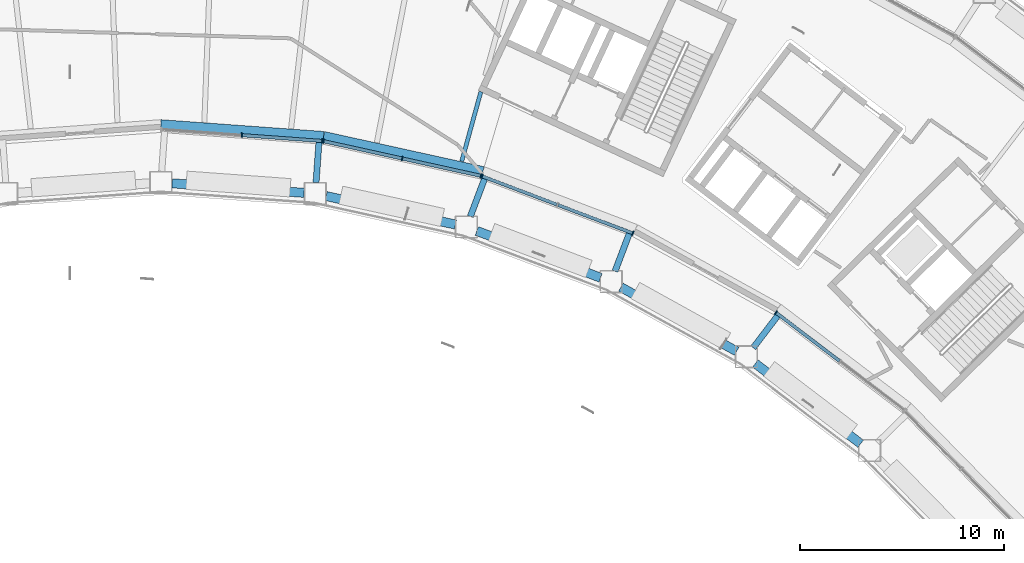
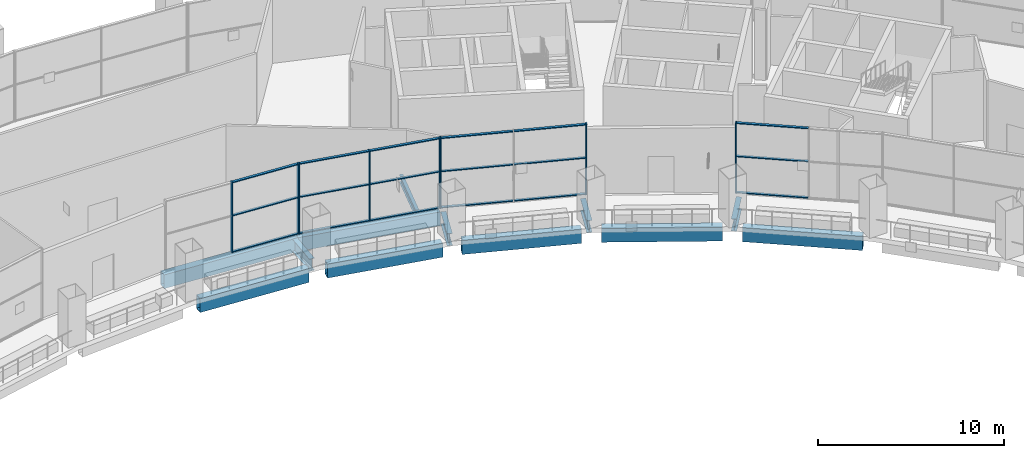
# One storey, part 7 of 28: 26 members, 12 beams, 4 elements without a shape of their own.
"""IFC4 building model written with IfcOpenShell, lengths in metres."""

from ifc_helpers import new_model, si_unit, direction, frame, origin, origin_2d, place, context, subcontext, project, spatial, rectangle, hollow_rectangle, i_section, extrude, material, layer, layer_set, material_profile, profile_set, type_object, element, aggregate, save


model = new_model("IFC4")

# Units and contexts
model_context = context("Model", 3, precision=1e-05, world=origin(), true_north=direction((0.0, 1.0)))
body_context = subcontext(model_context, "Body", "Model", "MODEL_VIEW")
ifc_project = project(units=[si_unit("LENGTHUNIT", "METRE"), si_unit("AREAUNIT", "SQUARE_METRE"), si_unit("VOLUMEUNIT", "CUBIC_METRE"), si_unit("PLANEANGLEUNIT", "RADIAN"), si_unit("MASSUNIT", "GRAM", prefix="KILO")], contexts=[model_context])

# Site, building, storey
site_placement = place(None, origin())
site = spatial("IfcSite", under=ifc_project, at=site_placement, CompositionType="ELEMENT")
building_placement = place(site_placement, origin())
building = spatial("IfcBuilding", under=site, at=building_placement, Name="Tuul Gate Civic Tower", CompositionType="ELEMENT")
storey_placement = place(building_placement, frame((0.0, 0.0, 128.699951171875)))
storey = spatial("IfcBuildingStorey", under=building, at=storey_placement, Name="Sky garden level 1", CompositionType="ELEMENT", Elevation=128.699951171875)

# Curtain wall, members
ifc_material_1 = material(Name="Aluminium", Category="aluminium")
ifc_layer = layer(ifc_material_1, 0.199951171875)
ifc_layer_set = layer_set([ifc_layer], Name="Aluminium")
curtain_wall_type = type_object("IfcCurtainWallType", Name="Curtain wall CW3", PredefinedType="NOTDEFINED", material=ifc_layer_set)
curtain_wall_1_placement = place(storey_placement, origin())
curtain_wall_1 = element("IfcCurtainWall", 1, at=curtain_wall_1_placement, inside=storey, type_object=curtain_wall_type, Name="Curtain wall CW3", PredefinedType="NOTDEFINED")
ifc_material_2 = material(Name="Aluminium", Category="aluminium")
ifc_material_profile_1 = material_profile(ifc_material_2, rectangle(XDim=0.219970703125, YDim=0.06005859375, at=origin_2d()), Name="CW3 mullion")
ifc_profile_set_1 = profile_set([ifc_material_profile_1], Name="Aluminium")
member_type_1 = type_object("IfcMemberType", Name="CW3 mullion", PredefinedType="MULLION", material=ifc_profile_set_1)
member_1_placement = place(storey_placement, frame((13.802490234375, -5.3505859375, 0.0), z_axis=(0.0, 0.0, 1.0), x_axis=(0.072165694963, 0.997392657117, 0.0)))
member_1 = element("IfcMember", 2, at=member_1_placement, type_object=member_type_1, Name="Mullion", PredefinedType="MULLION", context=body_context, shape_type="SweptSolid", body=[
    extrude(rectangle(XDim=0.219970703125, YDim=0.06005859375, at=origin_2d()), origin(), (0.0, 0.0, 1.0), 4.60009765625),
])
member_2_placement = place(storey_placement, frame((17.74609375, -5.6357421875, 0.0), z_axis=(0.0, 0.0, 1.0), x_axis=(0.072165694963, 0.997392657117, 0.0)))
member_2 = element("IfcMember", 3, at=member_2_placement, type_object=member_type_1, Name="Mullion", PredefinedType="MULLION", context=body_context, shape_type="SweptSolid", body=[
    extrude(rectangle(XDim=0.219970703125, YDim=0.06005859375, at=origin_2d()), origin(), (0.0, 0.0, 1.0), 4.60009765625),
])

curtain_wall_2_placement = place(storey_placement, origin())
curtain_wall_2 = element("IfcCurtainWall", 4, at=curtain_wall_2_placement, inside=storey, type_object=curtain_wall_type, Name="Curtain wall CW3", PredefinedType="NOTDEFINED")
member_3_placement = place(storey_placement, frame((17.80517578125, -5.64453125, 0.0), z_axis=(0.0, 0.0, 1.0), x_axis=(0.215216071904, 0.976566455698, 0.0)))
member_3 = element("IfcMember", 5, at=member_3_placement, type_object=member_type_1, Name="Mullion", PredefinedType="MULLION", context=body_context, shape_type="SweptSolid", body=[
    extrude(rectangle(XDim=0.219970703125, YDim=0.06005859375, at=origin_2d()), origin(), (0.0, 0.0, 1.0), 4.60009765625),
])
member_4_placement = place(storey_placement, frame((21.6669921875, -6.49560546875, 0.0), z_axis=(0.0, 0.0, 1.0), x_axis=(0.215216071904, 0.976566455698, 0.0)))
member_4 = element("IfcMember", 6, at=member_4_placement, type_object=member_type_1, Name="Mullion", PredefinedType="MULLION", context=body_context, shape_type="SweptSolid", body=[
    extrude(rectangle(XDim=0.219970703125, YDim=0.06005859375, at=origin_2d()), origin(), (0.0, 0.0, 1.0), 4.60009765625),
])
member_5_placement = place(storey_placement, frame((25.52880859375, -7.346435546875, 0.0), z_axis=(0.0, 0.0, 1.0), x_axis=(0.215216071904, 0.976566455698, 0.0)))
member_5 = element("IfcMember", 7, at=member_5_placement, type_object=member_type_1, Name="Mullion", PredefinedType="MULLION", context=body_context, shape_type="SweptSolid", body=[
    extrude(rectangle(XDim=0.219970703125, YDim=0.06005859375, at=origin_2d()), origin(), (0.0, 0.0, 1.0), 4.60009765625),
])

curtain_wall_3_placement = place(storey_placement, origin())
curtain_wall_3 = element("IfcCurtainWall", 8, at=curtain_wall_3_placement, inside=storey, type_object=curtain_wall_type, Name="Curtain wall CW3", PredefinedType="NOTDEFINED")
member_6_placement = place(storey_placement, frame((25.586181640625, -7.363525390625, 0.0), z_axis=(0.0, 0.0, 1.0), x_axis=(0.353776380754, 0.935330033956, 0.0)))
member_6 = element("IfcMember", 9, at=member_6_placement, type_object=member_type_1, Name="Mullion", PredefinedType="MULLION", context=body_context, shape_type="SweptSolid", body=[
    extrude(rectangle(XDim=0.219970703125, YDim=0.06005859375, at=origin_2d()), origin(), (0.0, 0.0, 1.0), 4.60009765625),
])
member_7_placement = place(storey_placement, frame((32.98291015625, -10.161376953125, 0.0), z_axis=(0.0, 0.0, 1.0), x_axis=(0.353776380754, 0.935330033956, 0.0)))
member_7 = element("IfcMember", 10, at=member_7_placement, type_object=member_type_1, Name="Mullion", PredefinedType="MULLION", context=body_context, shape_type="SweptSolid", body=[
    extrude(rectangle(XDim=0.219970703125, YDim=0.06005859375, at=origin_2d()), origin(), (0.0, 0.0, 1.0), 4.60009765625),
])

# Curtain wall, member
curtain_wall_4_placement = place(storey_placement, origin())
curtain_wall_4 = element("IfcCurtainWall", 11, at=curtain_wall_4_placement, inside=storey, type_object=curtain_wall_type, Name="Curtain wall CW3", PredefinedType="NOTDEFINED")
member_8_placement = place(storey_placement, frame((40.0048828125, -14.05322265625, 0.0), z_axis=(0.0, 0.0, 1.0), x_axis=(0.605827650389, 0.79559591378, 0.0)))
member_8 = element("IfcMember", 12, at=member_8_placement, type_object=member_type_1, Name="Mullion", PredefinedType="MULLION", context=body_context, shape_type="SweptSolid", body=[
    extrude(rectangle(XDim=0.219970703125, YDim=0.06005859375, at=origin_2d()), origin(), (0.0, 0.0, 1.0), 4.60009765625),
])

# Member
ifc_material_3 = material(Name="Aluminium", Category="aluminium")
ifc_material_profile_2 = material_profile(ifc_material_3, rectangle(XDim=0.159912109375, YDim=0.06005859375, at=origin_2d()), Name="CW3 transom")
ifc_profile_set_2 = profile_set([ifc_material_profile_2], Name="Aluminium")
member_type_2 = type_object("IfcMemberType", Name="CW3 transom", PredefinedType="USERDEFINED", material=ifc_profile_set_2)
member_9_placement = place(storey_placement, frame((13.83251953125, -5.352783203125, 0.030029296875), z_axis=(0.997392389062, -0.072169399623, 0.0), x_axis=(0.072169399623, 0.997392389062, 0.0)))
member_9 = element("IfcMember", 13, at=member_9_placement, type_object=member_type_2, Name="Transom", ObjectType="TRANSOM", PredefinedType="USERDEFINED", context=body_context, shape_type="SweptSolid", body=[
    extrude(rectangle(XDim=0.159912109375, YDim=0.06005859375, at=origin_2d()), origin(), (0.0, 0.0, 1.0), 3.893798828125),
])

member_10_placement = place(storey_placement, frame((13.83251953125, -5.352783203125, 2.400146484375), z_axis=(0.997392389062, -0.072169399623, 0.0), x_axis=(0.072169399623, 0.997392389062, 0.0)))
member_10 = element("IfcMember", 14, at=member_10_placement, type_object=member_type_2, Name="Transom", ObjectType="TRANSOM", PredefinedType="USERDEFINED", context=body_context, shape_type="SweptSolid", body=[
    extrude(rectangle(XDim=0.159912109375, YDim=0.06005859375, at=origin_2d()), origin(), (0.0, 0.0, 1.0), 3.893798828125),
])

member_11_placement = place(storey_placement, frame((13.83251953125, -5.352783203125, 4.570068359375), z_axis=(0.997392389062, -0.072169399623, 0.0), x_axis=(0.072169399623, 0.997392389062, 0.0)))
member_11 = element("IfcMember", 15, at=member_11_placement, type_object=member_type_2, Name="Transom", ObjectType="TRANSOM", PredefinedType="USERDEFINED", context=body_context, shape_type="SweptSolid", body=[
    extrude(rectangle(XDim=0.159912109375, YDim=0.06005859375, at=origin_2d()), origin(), (0.0, 0.0, 1.0), 3.893798828125),
])

aggregate(curtain_wall_1, [member_1, member_2, member_9, member_10, member_11])

member_12_placement = place(storey_placement, frame((17.83447265625, -5.65087890625, 0.030029296875), z_axis=(0.976567579886, -0.215210970712, 0.0), x_axis=(0.215210970712, 0.976567579886, 0.0)))
member_12 = element("IfcMember", 16, at=member_12_placement, type_object=member_type_2, Name="Transom", ObjectType="TRANSOM", PredefinedType="USERDEFINED", context=body_context, shape_type="SweptSolid", body=[
    extrude(rectangle(XDim=0.159912109375, YDim=0.06005859375, at=origin_2d()), origin(), (0.0, 0.0, 1.0), 3.89453125),
])

member_13_placement = place(storey_placement, frame((17.83447265625, -5.65087890625, 2.400146484375), z_axis=(0.976567579886, -0.215210970712, 0.0), x_axis=(0.215210970712, 0.976567579886, 0.0)))
member_13 = element("IfcMember", 17, at=member_13_placement, type_object=member_type_2, Name="Transom", ObjectType="TRANSOM", PredefinedType="USERDEFINED", context=body_context, shape_type="SweptSolid", body=[
    extrude(rectangle(XDim=0.159912109375, YDim=0.06005859375, at=origin_2d()), origin(), (0.0, 0.0, 1.0), 3.89453125),
])

member_14_placement = place(storey_placement, frame((17.83447265625, -5.65087890625, 4.570068359375), z_axis=(0.976567579886, -0.215210970712, 0.0), x_axis=(0.215210970712, 0.976567579886, 0.0)))
member_14 = element("IfcMember", 18, at=member_14_placement, type_object=member_type_2, Name="Transom", ObjectType="TRANSOM", PredefinedType="USERDEFINED", context=body_context, shape_type="SweptSolid", body=[
    extrude(rectangle(XDim=0.159912109375, YDim=0.06005859375, at=origin_2d()), origin(), (0.0, 0.0, 1.0), 3.89453125),
])

member_15_placement = place(storey_placement, frame((21.6962890625, -6.501953125, 0.030029296875), z_axis=(0.976567579886, -0.215210970712, 0.0), x_axis=(0.215210970712, 0.976567579886, 0.0)))
member_15 = element("IfcMember", 19, at=member_15_placement, type_object=member_type_2, Name="Transom", ObjectType="TRANSOM", PredefinedType="USERDEFINED", context=body_context, shape_type="SweptSolid", body=[
    extrude(rectangle(XDim=0.159912109375, YDim=0.06005859375, at=origin_2d()), origin(), (0.0, 0.0, 1.0), 3.89453125),
])

member_16_placement = place(storey_placement, frame((21.6962890625, -6.501953125, 2.400146484375), z_axis=(0.976567579886, -0.215210970712, 0.0), x_axis=(0.215210970712, 0.976567579886, 0.0)))
member_16 = element("IfcMember", 20, at=member_16_placement, type_object=member_type_2, Name="Transom", ObjectType="TRANSOM", PredefinedType="USERDEFINED", context=body_context, shape_type="SweptSolid", body=[
    extrude(rectangle(XDim=0.159912109375, YDim=0.06005859375, at=origin_2d()), origin(), (0.0, 0.0, 1.0), 3.89453125),
])

member_17_placement = place(storey_placement, frame((21.6962890625, -6.501953125, 4.570068359375), z_axis=(0.976567579886, -0.215210970712, 0.0), x_axis=(0.215210970712, 0.976567579886, 0.0)))
member_17 = element("IfcMember", 21, at=member_17_placement, type_object=member_type_2, Name="Transom", ObjectType="TRANSOM", PredefinedType="USERDEFINED", context=body_context, shape_type="SweptSolid", body=[
    extrude(rectangle(XDim=0.159912109375, YDim=0.06005859375, at=origin_2d()), origin(), (0.0, 0.0, 1.0), 3.89453125),
])

aggregate(curtain_wall_2, [member_3, member_4, member_5, member_12, member_13, member_14, member_15, member_16, member_17])

member_18_placement = place(storey_placement, frame((25.614013671875, -7.374267578125, 0.030029296875), z_axis=(0.935328313761, -0.353780928652, 0.0), x_axis=(0.353780928652, 0.935328313761, 0.0)))
member_18 = element("IfcMember", 22, at=member_18_placement, type_object=member_type_2, Name="Transom", ObjectType="TRANSOM", PredefinedType="USERDEFINED", context=body_context, shape_type="SweptSolid", body=[
    extrude(rectangle(XDim=0.159912109375, YDim=0.06005859375, at=origin_2d()), origin(), (0.0, 0.0, 1.0), 3.894287109375),
])

member_19_placement = place(storey_placement, frame((25.614013671875, -7.374267578125, 2.400146484375), z_axis=(0.935328313761, -0.353780928652, 0.0), x_axis=(0.353780928652, 0.935328313761, 0.0)))
member_19 = element("IfcMember", 23, at=member_19_placement, type_object=member_type_2, Name="Transom", ObjectType="TRANSOM", PredefinedType="USERDEFINED", context=body_context, shape_type="SweptSolid", body=[
    extrude(rectangle(XDim=0.159912109375, YDim=0.06005859375, at=origin_2d()), origin(), (0.0, 0.0, 1.0), 3.894287109375),
])

member_20_placement = place(storey_placement, frame((25.614013671875, -7.374267578125, 4.570068359375), z_axis=(0.935328313761, -0.353780928652, 0.0), x_axis=(0.353780928652, 0.935328313761, 0.0)))
member_20 = element("IfcMember", 24, at=member_20_placement, type_object=member_type_2, Name="Transom", ObjectType="TRANSOM", PredefinedType="USERDEFINED", context=body_context, shape_type="SweptSolid", body=[
    extrude(rectangle(XDim=0.159912109375, YDim=0.06005859375, at=origin_2d()), origin(), (0.0, 0.0, 1.0), 3.894287109375),
])

member_21_placement = place(storey_placement, frame((29.3125, -8.773193359375, 0.030029296875), z_axis=(0.935328313761, -0.353780928652, 0.0), x_axis=(0.353780928652, 0.935328313761, 0.0)))
member_21 = element("IfcMember", 25, at=member_21_placement, type_object=member_type_2, Name="Transom", ObjectType="TRANSOM", PredefinedType="USERDEFINED", context=body_context, shape_type="SweptSolid", body=[
    extrude(rectangle(XDim=0.159912109375, YDim=0.06005859375, at=origin_2d()), origin(), (0.0, 0.0, 1.0), 3.894287109375),
])

member_22_placement = place(storey_placement, frame((29.3125, -8.773193359375, 2.400146484375), z_axis=(0.935328313761, -0.353780928652, 0.0), x_axis=(0.353780928652, 0.935328313761, 0.0)))
member_22 = element("IfcMember", 26, at=member_22_placement, type_object=member_type_2, Name="Transom", ObjectType="TRANSOM", PredefinedType="USERDEFINED", context=body_context, shape_type="SweptSolid", body=[
    extrude(rectangle(XDim=0.159912109375, YDim=0.06005859375, at=origin_2d()), origin(), (0.0, 0.0, 1.0), 3.894287109375),
])

member_23_placement = place(storey_placement, frame((29.3125, -8.773193359375, 4.570068359375), z_axis=(0.935328313761, -0.353780928652, 0.0), x_axis=(0.353780928652, 0.935328313761, 0.0)))
member_23 = element("IfcMember", 27, at=member_23_placement, type_object=member_type_2, Name="Transom", ObjectType="TRANSOM", PredefinedType="USERDEFINED", context=body_context, shape_type="SweptSolid", body=[
    extrude(rectangle(XDim=0.159912109375, YDim=0.06005859375, at=origin_2d()), origin(), (0.0, 0.0, 1.0), 3.894287109375),
])

aggregate(curtain_wall_3, [member_6, member_7, member_18, member_19, member_20, member_21, member_22, member_23])

member_24_placement = place(storey_placement, frame((40.02880859375, -14.0712890625, 0.030029296875), z_axis=(0.79557706335, -0.605852404693, 0.0), x_axis=(0.605852404693, 0.79557706335, 0.0)))
member_24 = element("IfcMember", 28, at=member_24_placement, type_object=member_type_2, Name="Transom", ObjectType="TRANSOM", PredefinedType="USERDEFINED", context=body_context, shape_type="SweptSolid", body=[
    extrude(rectangle(XDim=0.159912109375, YDim=0.06005859375, at=origin_2d()), origin(), (0.0, 0.0, 1.0), 3.893798828125),
])

member_25_placement = place(storey_placement, frame((40.02880859375, -14.0712890625, 2.400146484375), z_axis=(0.79557706335, -0.605852404693, 0.0), x_axis=(0.605852404693, 0.79557706335, 0.0)))
member_25 = element("IfcMember", 29, at=member_25_placement, type_object=member_type_2, Name="Transom", ObjectType="TRANSOM", PredefinedType="USERDEFINED", context=body_context, shape_type="SweptSolid", body=[
    extrude(rectangle(XDim=0.159912109375, YDim=0.06005859375, at=origin_2d()), origin(), (0.0, 0.0, 1.0), 3.893798828125),
])

member_26_placement = place(storey_placement, frame((40.02880859375, -14.0712890625, 4.570068359375), z_axis=(0.79557706335, -0.605852404693, 0.0), x_axis=(0.605852404693, 0.79557706335, 0.0)))
member_26 = element("IfcMember", 30, at=member_26_placement, type_object=member_type_2, Name="Transom", ObjectType="TRANSOM", PredefinedType="USERDEFINED", context=body_context, shape_type="SweptSolid", body=[
    extrude(rectangle(XDim=0.159912109375, YDim=0.06005859375, at=origin_2d()), origin(), (0.0, 0.0, 1.0), 3.893798828125),
])

aggregate(curtain_wall_4, [member_8, member_24, member_25, member_26])

# Beams
ifc_material_4 = material(Name="Steel S355", Category="steel")
ifc_material_profile_3 = material_profile(ifc_material_4, i_section(OverallWidth=0.199951171875, OverallDepth=0.5, WebThickness=0.010009765625, FlangeThickness=0.01611328125, at=origin_2d()), Name="PG500x200x10x16")
ifc_profile_set_3 = profile_set([ifc_material_profile_3], Name="Steel S355")
beam_type_1 = type_object("IfcBeamType", Name="STR-FLOOR BEAM-PG500x200x10x16", PredefinedType="BEAM", material=ifc_profile_set_3)
beam_1_placement = place(storey_placement, frame((24.587646484375, -6.626953125, -0.550048828125), z_axis=(0.265552846111, 0.964096305315, 0.0), x_axis=(-0.964096305315, 0.265552846111, 0.0)))
element("IfcBeam", 31, at=beam_1_placement, inside=storey, type_object=beam_type_1, Name="Floor beam", PredefinedType="BEAM", context=body_context, shape_type="SweptSolid", body=[
    extrude(i_section(OverallWidth=0.199951171875, OverallDepth=0.5, WebThickness=0.010009765625, FlangeThickness=0.01611328125, at=origin_2d()), origin(), (0.0, 0.0, 1.0), 3.535888671875),
])
ifc_material_5 = material(Name="Steel S355", Category="steel")
ifc_material_profile_4 = material_profile(ifc_material_5, i_section(OverallWidth=0.300048828125, OverallDepth=0.800048828125, WebThickness=0.013916015625, FlangeThickness=0.02490234375, at=origin_2d()), Name="PG800x300x14x25")
ifc_profile_set_4 = profile_set([ifc_material_profile_4], Name="Steel S355")
beam_type_2 = type_object("IfcBeamType", Name="STR-FLOOR BEAM-PG800x300x14x25", PredefinedType="BEAM", material=ifc_profile_set_4)
for number, where, z_axis, x_axis, name in (
    (32, (17.440673828125, -7.66943359375, -0.699951171875), (0.07230442694, 0.997382609556, 0.0), (-0.997382609556, 0.07230442694, 0.0), "Terrace beam"),
    (33, (25.009521484375, -9.337646484375, -0.699951171875), (0.353707968816, 0.935355907019, 0.0), (-0.935355907019, 0.353707968816, 0.0), "Terrace beam"),
):
    element("IfcBeam", number, at=place(storey_placement, frame(where, z_axis=z_axis, x_axis=x_axis)), inside=storey, type_object=beam_type_2, Name=name, PredefinedType="BEAM", context=body_context, shape_type="SweptSolid", body=[
        extrude(i_section(OverallWidth=0.300048828125, OverallDepth=0.800048828125, WebThickness=0.013916015625, FlangeThickness=0.02490234375, at=origin_2d()), origin(), (0.0, 0.0, 1.0), 2.100341796875),
    ])
for number, where, z_axis, x_axis, name in (
    (34, (32.109619140625, -12.0224609375, -0.699951171875), (0.353746428744, 0.935341362365, 0.0), (-0.935341362365, 0.353746428744, 0.0), "Terrace beam"),
    (35, (38.88818359375, -15.7802734375, -0.699951171875), (0.605787496975, 0.795626488064, 0.0), (-0.795626488064, 0.605787496975, 0.0), "Terrace beam"),
):
    element("IfcBeam", number, at=place(storey_placement, frame(where, z_axis=z_axis, x_axis=x_axis)), inside=storey, type_object=beam_type_2, Name=name, PredefinedType="BEAM", context=body_context, shape_type="SweptSolid", body=[
        extrude(i_section(OverallWidth=0.300048828125, OverallDepth=0.800048828125, WebThickness=0.013916015625, FlangeThickness=0.02490234375, at=origin_2d()), origin(), (0.0, 0.0, 1.0), 2.10009765625),
    ])
ifc_material_6 = material(Name="Steel S355", Category="steel")
ifc_material_profile_5 = material_profile(ifc_material_6, hollow_rectangle(XDim=0.449951171875, YDim=0.89990234375, WallThickness=0.02490234375, at=origin_2d()), Name="BOX900x450x25")
ifc_profile_set_5 = profile_set([ifc_material_profile_5], Name="Steel S355")
beam_type_3 = type_object("IfcBeamType", Name="STR-SPANDREL BEAM-BOX900x450x25", PredefinedType="BEAM", material=ifc_profile_set_5)
beam_2_placement = place(storey_placement, frame((25.62939453125, -7.112548828125, -0.75), z_axis=(-0.976572341212, 0.215189364002, 0.0), x_axis=(-0.215189364002, -0.976572341212, 0.0)))
element("IfcBeam", 36, at=beam_2_placement, inside=storey, type_object=beam_type_3, Name="Spandrel beam", PredefinedType="BEAM", context=body_context, shape_type="SweptSolid", body=[
    extrude(hollow_rectangle(XDim=0.449951171875, YDim=0.89990234375, WallThickness=0.02490234375, at=origin_2d()), origin(), (0.0, 0.0, 1.0), 8.004150390625),
])
beam_3_placement = place(storey_placement, frame((17.812744140625, -5.39013671875, -0.75), z_axis=(-0.99738839538, 0.072224571734, 0.0), x_axis=(-0.072224571734, -0.99738839538, 0.0)))
element("IfcBeam", 37, at=beam_3_placement, inside=storey, type_object=beam_type_3, Name="Spandrel beam", PredefinedType="BEAM", context=body_context, shape_type="SweptSolid", body=[
    extrude(hollow_rectangle(XDim=0.449951171875, YDim=0.89990234375, WallThickness=0.02490234375, at=origin_2d()), origin(), (0.0, 0.0, 1.0), 8.004638671875),
])
beam_4_placement = place(storey_placement, frame((10.37744140625, -7.708740234375, -0.75), z_axis=(0.997381769985, -0.072316007227, 0.0), x_axis=(0.072316007227, 0.997381769985, 0.0)))
element("IfcBeam", 38, at=beam_4_placement, inside=storey, type_object=beam_type_3, Name="Terrace edge beam", PredefinedType="BEAM", context=body_context, shape_type="SweptSolid", body=[
    extrude(hollow_rectangle(XDim=0.449951171875, YDim=0.89990234375, WallThickness=0.02490234375, at=origin_2d()), origin(), (0.0, 0.0, 1.0), 6.4921875),
])
beam_5_placement = place(storey_placement, frame((17.93798828125, -8.33642578125, -0.75), z_axis=(0.976565169857, -0.215221906465, 0.0), x_axis=(0.215221906465, 0.976565169857, 0.0)))
element("IfcBeam", 39, at=beam_5_placement, inside=storey, type_object=beam_type_3, Name="Terrace edge beam", PredefinedType="BEAM", context=body_context, shape_type="SweptSolid", body=[
    extrude(hollow_rectangle(XDim=0.449951171875, YDim=0.89990234375, WallThickness=0.02490234375, at=origin_2d()), origin(), (0.0, 0.0, 1.0), 6.491943359375),
])
beam_6_placement = place(storey_placement, frame((25.329345703125, -10.046630859375, -0.75), z_axis=(0.935354880203, -0.353710684149, 0.0), x_axis=(0.353710684149, 0.935354880203, 0.0)))
element("IfcBeam", 40, at=beam_6_placement, inside=storey, type_object=beam_type_3, Name="Terrace edge beam", PredefinedType="BEAM", context=body_context, shape_type="SweptSolid", body=[
    extrude(hollow_rectangle(XDim=0.449951171875, YDim=0.89990234375, WallThickness=0.02490234375, at=origin_2d()), origin(), (0.0, 0.0, 1.0), 6.490966796875),
])
beam_7_placement = place(storey_placement, frame((32.39599609375, -12.8037109375, -0.75), z_axis=(0.874596833749, -0.484850882639, 0.0), x_axis=(0.484850882639, 0.874596833749, 0.0)))
element("IfcBeam", 41, at=beam_7_placement, inside=storey, type_object=beam_type_3, Name="Terrace edge beam", PredefinedType="BEAM", context=body_context, shape_type="SweptSolid", body=[
    extrude(hollow_rectangle(XDim=0.449951171875, YDim=0.89990234375, WallThickness=0.02490234375, at=origin_2d()), origin(), (0.0, 0.0, 1.0), 6.4921875),
])
beam_8_placement = place(storey_placement, frame((38.99267578125, -16.55126953125, -0.75), z_axis=(0.79566990921, -0.605730464462, 0.0), x_axis=(0.605730464462, 0.79566990921, 0.0)))
element("IfcBeam", 42, at=beam_8_placement, inside=storey, type_object=beam_type_3, Name="Terrace edge beam", PredefinedType="BEAM", context=body_context, shape_type="SweptSolid", body=[
    extrude(hollow_rectangle(XDim=0.449951171875, YDim=0.89990234375, WallThickness=0.02490234375, at=origin_2d()), origin(), (0.0, 0.0, 1.0), 6.492431640625),
])

save(model, "model.ifc")
